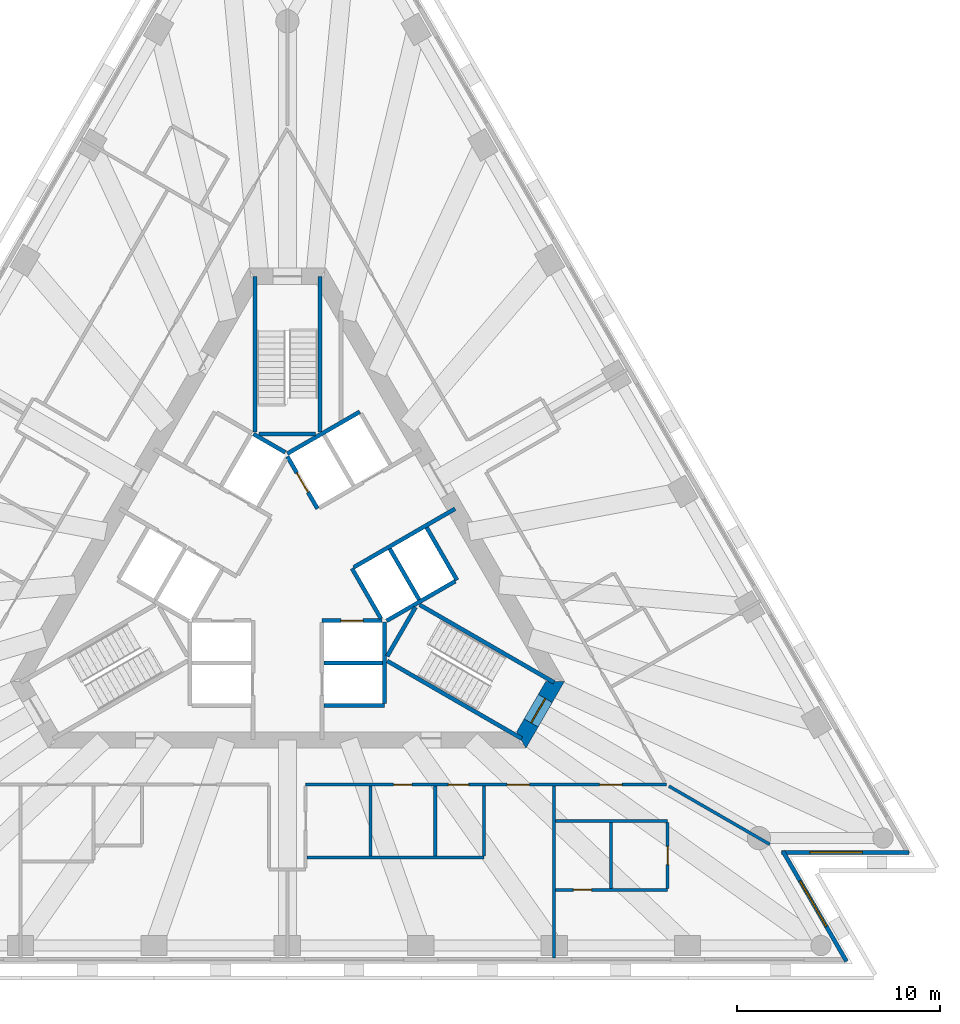
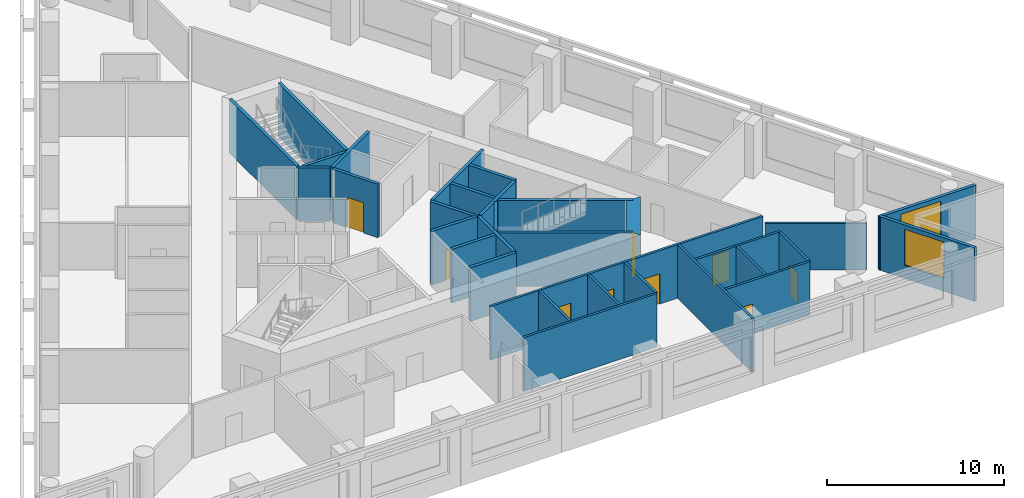
# One storey, part 5 of 10: 32 walls, 9 doors, 2 windows, 11 openings.
"""IFC4 building model written with IfcOpenShell, lengths in metres."""

from ifc_helpers import new_model, si_unit, direction, frame, frame_2d, origin, place, context, subcontext, project, spatial, polyline, rectangle, outline, extrude, material, layer, layer_set, layer_usage, type_object, element, fill, save


model = new_model("IFC4")

# Units and contexts
model_context = context("Model", 3, precision=1e-05, world=origin(), true_north=direction((0.0, 1.0)))
body_context = subcontext(model_context, "Body", "Model", "MODEL_VIEW")
ifc_project = project(units=[si_unit("LENGTHUNIT", "METRE"), si_unit("AREAUNIT", "SQUARE_METRE"), si_unit("VOLUMEUNIT", "CUBIC_METRE"), si_unit("PLANEANGLEUNIT", "RADIAN"), si_unit("MASSUNIT", "GRAM", prefix="KILO")], contexts=[model_context])

# Site, building, storey
site_placement = place(None, origin())
site = spatial("IfcSite", under=ifc_project, at=site_placement, CompositionType="ELEMENT")
building_placement = place(site_placement, origin())
building = spatial("IfcBuilding", under=site, at=building_placement, Name="Triada Interchange Tower", CompositionType="ELEMENT")
storey_placement = place(building_placement, frame((0.0, 0.0, 160.300048828125)))
storey = spatial("IfcBuildingStorey", under=building, at=storey_placement, Name="L37", CompositionType="ELEMENT", Elevation=160.300048828125)

# Walls
ifc_material_1 = material(Name="Concrete C30/37", Category="concrete")
ifc_layer_1 = layer(ifc_material_1, 0.199951171875)
ifc_layer_set_1 = layer_set([ifc_layer_1], Name="CORE WALL 200 EI 120")
wall_type_1 = type_object("IfcWallType", Name="CORE WALL 200 EI 120", PredefinedType="SOLIDWALL", material=ifc_layer_set_1)
wall_1_placement = place(storey_placement, frame((1.800048828125, -6.89990234375, 0.0), z_axis=(0.0, 0.0, 1.0), x_axis=(1.0, 0.0, 0.0)))
element("IfcWall", 1, at=wall_1_placement, inside=storey, type_object=wall_type_1, Name="Wall L35 55", PredefinedType="SOLIDWALL", context=body_context, shape_type="SweptSolid", body=[
    extrude(rectangle(XDim=3.0, YDim=0.199951171875, at=frame_2d((1.5, 0.0))), origin(), (0.0, 0.0, 1.0), 3.699951171875),
])
wall_2_placement = place(storey_placement, frame((1.800048828125, -4.800048828125, 0.0), z_axis=(0.0, 0.0, 1.0), x_axis=(1.0, 0.0, 0.0)))
element("IfcWall", 2, at=wall_2_placement, inside=storey, type_object=wall_type_1, Name="Wall L35 57", PredefinedType="SOLIDWALL", context=body_context, shape_type="SweptSolid", body=[
    extrude(rectangle(XDim=2.89990234375, YDim=0.199951171875, at=frame_2d((1.449951171875, 0.0))), origin(), (0.0, 0.0, 1.0), 3.699951171875),
])

# Wall, opening, door
wall_3_placement = place(storey_placement, frame((1.702880859375, -2.699951171875, 0.0), z_axis=(0.0, 0.0, 1.0), x_axis=(1.0, 0.0, 0.0)))
wall_3 = element("IfcWall", 3, at=wall_3_placement, inside=storey, type_object=wall_type_1, Name="Wall L35 60", PredefinedType="SOLIDWALL", context=body_context, shape_type="SweptSolid", body=[
    extrude(rectangle(XDim=2.97314453125, YDim=0.199951171875, at=frame_2d((1.486572265625, 0.0))), origin(), (0.0, 0.0, 1.0), 3.699951171875),
])
opening_1_placement = place(wall_3_placement, frame((0.93603515625, 0.0, 0.0)))
opening_1 = element("IfcOpeningElement", 4, at=opening_1_placement, cuts=wall_3, Name="Opening LD-LR1", PredefinedType="OPENING", context=body_context, shape_type="SweptSolid", body=[
    extrude(rectangle(XDim=1.10009765625, YDim=2.10009765625, at=frame_2d((0.550048828125, 1.050048828125))), frame((0.0, 0.10986328125, 0.0), z_axis=(0.0, -1.0, 0.0), x_axis=(1.0, 0.0, 0.0)), (0.0, 0.0, 1.0), 0.219970703125),
])
ifc_material_2 = material(Name="Steel S235 door leaf", Category="steel")
door_type_1 = type_object("IfcDoorType", Name="LIFT LANDING DOOR 1100 EI 120", OperationType="SLIDING_TO_LEFT", PredefinedType="DOOR", material=ifc_material_2)
door_1_placement = place(opening_1_placement, origin())
door_1 = element("IfcDoor", 5, at=door_1_placement, inside=storey, type_object=door_type_1, Name="LR1 landing door L37", OperationType="SLIDING_TO_LEFT", OverallHeight=2.10009765625, OverallWidth=1.10009765625, PredefinedType="DOOR", context=body_context, shape_type="SweptSolid", body=[
    extrude(rectangle(XDim=1.10009765625, YDim=2.10009765625, at=frame_2d((0.550048828125, 1.050048828125))), frame((0.0, 0.02490234375, 0.0), z_axis=(0.0, -1.0, 0.0), x_axis=(1.0, 0.0, 0.0)), (0.0, 0.0, 1.0), 0.050048828125),
])
fill(opening_1, door_1)

# Wall
wall_4_placement = place(storey_placement, frame((-0.001953125, 5.541015625, 0.0), z_axis=(0.0, 0.0, 1.0), x_axis=(0.86600155993, 0.500041296494, 0.0)))
element("IfcWall", 6, at=wall_4_placement, inside=storey, type_object=wall_type_1, Name="Wall L35 61", PredefinedType="SOLIDWALL", context=body_context, shape_type="SweptSolid", body=[
    extrude(rectangle(XDim=4.131591796875, YDim=0.199951171875, at=frame_2d((2.06591796875, 0.0))), origin(), (0.0, 0.0, 1.0), 3.699951171875),
])

# Wall, opening, door
wall_5_placement = place(storey_placement, frame((0.0, 5.39990234375, 0.0), z_axis=(0.0, 0.0, 1.0), x_axis=(0.500103862429, -0.865965430478, 0.0)))
wall_5 = element("IfcWall", 7, at=wall_5_placement, inside=storey, type_object=wall_type_1, Name="Wall L35 62", PredefinedType="SOLIDWALL", context=body_context, shape_type="SweptSolid", body=[
    extrude(rectangle(XDim=2.973388671875, YDim=0.199951171875, at=frame_2d((1.48681640625, 0.0))), origin(), (0.0, 0.0, 1.0), 3.699951171875),
])
opening_2_placement = place(wall_5_placement, frame((0.93701171875, 0.0, 0.0)))
opening_2 = element("IfcOpeningElement", 8, at=opening_2_placement, cuts=wall_5, Name="Opening LD-LR5", PredefinedType="OPENING", context=body_context, shape_type="SweptSolid", body=[
    extrude(rectangle(XDim=1.10009765625, YDim=2.10009765625, at=frame_2d((0.550048828125, 1.050048828125))), frame((0.0, 0.10986328125, 0.0), z_axis=(0.0, -1.0, 0.0), x_axis=(1.0, 0.0, 0.0)), (0.0, 0.0, 1.0), 0.219970703125),
])
door_2_placement = place(opening_2_placement, origin())
door_2 = element("IfcDoor", 9, at=door_2_placement, inside=storey, type_object=door_type_1, Name="LR5 landing door L37", OperationType="SLIDING_TO_LEFT", OverallHeight=2.10009765625, OverallWidth=1.10009765625, PredefinedType="DOOR", context=body_context, shape_type="SweptSolid", body=[
    extrude(rectangle(XDim=1.10009765625, YDim=2.10009765625, at=frame_2d((0.550048828125, 1.050048828125))), frame((0.0, 0.02490234375, 0.0), z_axis=(0.0, -1.0, 0.0), x_axis=(1.0, 0.0, 0.0)), (0.0, 0.0, 1.0), 0.050048828125),
])
fill(opening_2, door_2)

# Walls
wall_6_placement = place(storey_placement, frame((3.18994140625, -0.125, 0.0), z_axis=(0.0, 0.0, 1.0), x_axis=(0.499988658015, -0.866031951983, 0.0)))
element("IfcWall", 10, at=wall_6_placement, inside=storey, type_object=wall_type_1, Name="Wall L35 63", PredefinedType="SOLIDWALL", context=body_context, shape_type="SweptSolid", body=[
    extrude(rectangle(XDim=2.85791015625, YDim=0.199951171875, at=frame_2d((1.428955078125, 0.0))), origin(), (0.0, 0.0, 1.0), 3.699951171875),
])
wall_7_placement = place(storey_placement, frame((4.800048828125, -6.800048828125, 0.0), z_axis=(0.0, 0.0, 1.0), x_axis=(0.0, 1.0, 0.0)))
element("IfcWall", 11, at=wall_7_placement, inside=storey, type_object=wall_type_1, Name="Wall L35 66", PredefinedType="SOLIDWALL", context=body_context, shape_type="SweptSolid", body=[
    extrude(rectangle(XDim=4.029052734375, YDim=0.199951171875, at=frame_2d((2.0146484375, 0.0))), origin(), (0.0, 0.0, 1.0), 3.699951171875),
])
wall_8_placement = place(storey_placement, frame((5.056884765625, 0.841064453125, 0.0), z_axis=(0.0, 0.0, 1.0), x_axis=(0.50012328804, -0.865954211699, 0.0)))
element("IfcWall", 12, at=wall_8_placement, inside=storey, type_object=wall_type_1, Name="Wall L35 68", PredefinedType="SOLIDWALL", context=body_context, shape_type="SweptSolid", body=[
    extrude(rectangle(XDim=2.899658203125, YDim=0.199951171875, at=frame_2d((1.44970703125, 0.0))), origin(), (0.0, 0.0, 1.0), 3.699951171875),
])
wall_9_placement = place(storey_placement, frame((6.8759765625, 1.89111328125, 0.0), z_axis=(0.0, 0.0, 1.0), x_axis=(0.499990139034, -0.866031096941, 0.0)))
element("IfcWall", 13, at=wall_9_placement, inside=storey, type_object=wall_type_1, Name="Wall L35 70", PredefinedType="SOLIDWALL", context=body_context, shape_type="SweptSolid", body=[
    extrude(rectangle(XDim=3.0, YDim=0.199951171875, at=frame_2d((1.5, 0.0))), origin(), (0.0, 0.0, 1.0), 3.699951171875),
])
wall_10_placement = place(storey_placement, frame((3.278076171875, -0.071044921875, 0.0), z_axis=(0.0, 0.0, 1.0), x_axis=(0.865929348003, 0.5001663366, 0.0)))
element("IfcWall", 14, at=wall_10_placement, inside=storey, type_object=wall_type_1, Name="Wall L35 71", PredefinedType="SOLIDWALL", context=body_context, shape_type="SweptSolid", body=[
    extrude(rectangle(XDim=5.7763671875, YDim=0.199951171875, at=frame_2d((2.88818359375, 0.0))), origin(), (0.0, 0.0, 1.0), 3.699951171875),
])
wall_11_placement = place(storey_placement, frame((4.89990234375, -2.714111328125, 0.0), z_axis=(0.0, 0.0, 1.0), x_axis=(0.865992350556, 0.500057245502, 0.0)))
element("IfcWall", 15, at=wall_11_placement, inside=storey, type_object=wall_type_1, Name="Wall L35 72", PredefinedType="SOLIDWALL", context=body_context, shape_type="SweptSolid", body=[
    extrude(rectangle(XDim=3.91357421875, YDim=0.199951171875, at=frame_2d((1.956787109375, 0.0))), origin(), (0.0, 0.0, 1.0), 3.699951171875),
])
ifc_layer_2 = layer(ifc_material_1, 0.199951171875)
ifc_layer_set_2 = layer_set([ifc_layer_2], Name="CORE WALL 200 EI 180")
wall_type_2 = type_object("IfcWallType", Name="CORE WALL 200 EI 180", PredefinedType="SOLIDWALL", material=ifc_layer_set_2)
wall_12_placement = place(storey_placement, frame((-1.669921875, 6.507080078125, 0.0), z_axis=(0.0, 0.0, 1.0), x_axis=(0.865941441609, -0.500145398563, 0.0)))
element("IfcWall", 16, at=wall_12_placement, inside=storey, type_object=wall_type_2, Name="Shaft wall FF2 L35 86", PredefinedType="SOLIDWALL", context=body_context, shape_type="SweptSolid", body=[
    extrude(rectangle(XDim=1.8154296875, YDim=0.199951171875, at=frame_2d((0.90771484375, 0.0))), origin(), (0.0, 0.0, 1.0), 3.699951171875),
])
ifc_layer_3 = layer(ifc_material_1, 0.199951171875)
ifc_layer_set_3 = layer_set([ifc_layer_3], Name="CORE WALL 200 REI 240")
wall_type_3 = type_object("IfcWallType", Name="CORE WALL 200 REI 240", PredefinedType="SOLIDWALL", material=ifc_layer_set_3)
wall_13_placement = place(storey_placement, frame((1.60009765625, 6.614990234375, 0.0), z_axis=(0.0, 0.0, 1.0), x_axis=(0.0, 1.0, 0.0)))
element("IfcWall", 17, at=wall_13_placement, inside=storey, type_object=wall_type_3, Name="Wall L35 92", PredefinedType="SOLIDWALL", context=body_context, shape_type="SweptSolid", body=[
    extrude(rectangle(XDim=7.6650390625, YDim=0.199951171875, at=frame_2d((3.83251953125, 0.0))), origin(), (0.0, 0.0, 1.0), 3.699951171875),
])
wall_14_placement = place(storey_placement, frame((-1.39990234375, 6.5, 0.0), z_axis=(0.0, 0.0, 1.0), x_axis=(1.0, 0.0, 0.0)))
element("IfcWall", 18, at=wall_14_placement, inside=storey, type_object=wall_type_3, Name="Wall L35 93", PredefinedType="SOLIDWALL", context=body_context, shape_type="SweptSolid", body=[
    extrude(rectangle(XDim=2.7998046875, YDim=0.199951171875, at=frame_2d((1.39990234375, 0.0))), origin(), (0.0, 0.0, 1.0), 3.699951171875),
])
for number, where, z_axis, x_axis, name in (
    (19, (-1.60009765625, 6.614990234375, 0.0), (0.0, 0.0, 1.0), (0.0, 1.0, 0.0), "Wall L35 94"),
    (20, (4.928955078125, -4.693115234375, 0.0), (0.0, 0.0, 1.0), (0.866005769735, -0.50003400563, 0.0), "Wall L35 95"),
):
    element("IfcWall", number, at=place(storey_placement, frame(where, z_axis=z_axis, x_axis=x_axis)), inside=storey, type_object=wall_type_3, Name=name, PredefinedType="SOLIDWALL", context=body_context, shape_type="SweptSolid", body=[
        extrude(rectangle(XDim=7.6650390625, YDim=0.199951171875, at=frame_2d((3.83251953125, 0.0))), origin(), (0.0, 0.0, 1.0), 3.699951171875),
    ])
wall_15_placement = place(storey_placement, frame((4.928955078125, -4.4619140625, 0.0), z_axis=(0.0, 0.0, 1.0), x_axis=(0.500200581029, 0.865909567298, 0.0)))
element("IfcWall", 21, at=wall_15_placement, inside=storey, type_object=wall_type_3, Name="Wall L35 96", PredefinedType="SOLIDWALL", context=body_context, shape_type="SweptSolid", body=[
    extrude(rectangle(XDim=2.799072265625, YDim=0.199951171875, at=frame_2d((1.3994140625, 0.0))), origin(), (0.0, 0.0, 1.0), 3.699951171875),
])
wall_16_placement = place(storey_placement, frame((6.529052734375, -1.922119140625, 0.0), z_axis=(0.0, 0.0, 1.0), x_axis=(0.866060938598, -0.499938446846, 0.0)))
element("IfcWall", 22, at=wall_16_placement, inside=storey, type_object=wall_type_3, Name="Wall L35 97", PredefinedType="SOLIDWALL", context=body_context, shape_type="SweptSolid", body=[
    extrude(rectangle(XDim=7.66455078125, YDim=0.199951171875, at=frame_2d((3.832275390625, 0.0))), origin(), (0.0, 0.0, 1.0), 3.699951171875),
])

# Wall, opening, door
ifc_material_3 = material(Name="Concrete C60/75", Category="concrete")
ifc_layer_4 = layer(ifc_material_3, 0.800048828125)
ifc_layer_set_4 = layer_set([ifc_layer_4], Name="Core wall B 800")
wall_type_4 = type_object("IfcWallType", Name="Core wall B 800", PredefinedType="SHEAR", material=ifc_layer_set_4)
wall_17_placement = place(storey_placement, frame((11.547119140625, -8.60009765625, -0.300048828125), z_axis=(0.0, 0.0, 1.0), x_axis=(0.49987182685, 0.866099391942, 0.0)))
wall_17 = element("IfcWall", 23, at=wall_17_placement, inside=storey, type_object=wall_type_4, Name="Core wall WB05 L37", PredefinedType="SHEAR", context=body_context, shape_type="SweptSolid", body=[
    extrude(outline(polyline([(-0.23095703125, -0.39990234375), (1.674072265625, -0.39990234375), (3.5791015625, -0.39990234375), (3.117919921875, 0.39990234375), (1.67431640625, 0.39990234375), (0.23095703125, 0.39990234375), (-0.23095703125, -0.39990234375)])), origin(), (0.0, 0.0, 1.0), 4.0),
])
opening_3_placement = place(wall_17_placement, frame((0.97412109375, 0.0, 0.300048828125)))
opening_3 = element("IfcOpeningElement", 24, at=opening_3_placement, cuts=wall_17, Name="Opening D35-39", PredefinedType="OPENING", context=body_context, shape_type="SweptSolid", body=[
    extrude(rectangle(XDim=1.39990234375, YDim=2.10009765625, at=frame_2d((0.699951171875, 1.050048828125))), frame((0.0, 0.409912109375, 0.0), z_axis=(0.0, -1.0, 0.0), x_axis=(1.0, 0.0, 0.0)), (0.0, 0.0, 1.0), 0.820068359375),
])
door_type_2 = type_object("IfcDoorType", Name="STAIR DOOR 1400 EI2 90-C5S200", OperationType="DOUBLE_DOOR_SINGLE_SWING", PredefinedType="DOOR", material=ifc_material_2)
door_3_placement = place(opening_3_placement, origin())
door_3 = element("IfcDoor", 25, at=door_3_placement, inside=storey, type_object=door_type_2, Name="Door D35-39 L37", OperationType="DOUBLE_DOOR_SINGLE_SWING", OverallHeight=2.10009765625, OverallWidth=1.39990234375, PredefinedType="DOOR", context=body_context, shape_type="SweptSolid", body=[
    extrude(rectangle(XDim=1.39990234375, YDim=2.10009765625, at=frame_2d((0.699951171875, 1.050048828125))), frame((0.0, 0.02490234375, 0.0), z_axis=(0.0, -1.0, 0.0), x_axis=(1.0, 0.0, 0.0)), (0.0, 0.0, 1.0), 0.050048828125),
])
fill(opening_3, door_3)

# Wall, opening, window
ifc_material_4 = material(Name="Cement board")
ifc_layer_5 = layer(ifc_material_4, 0.02001953125, Name="Cement board cladding")
ifc_material_5 = material(Name="Sheathing board")
ifc_layer_6 = layer(ifc_material_5, 0.014892578125, Name="Sheathing board")
ifc_material_6 = material(Name="Mineral wool")
ifc_layer_7 = layer(ifc_material_6, 0.14990234375, Name="Mineral wool between steel studs")
ifc_material_7 = material(Name="Gypsum board")
ifc_layer_8 = layer(ifc_material_7, 0.014892578125, Name="Plasterboard lining")
ifc_layer_set_5 = layer_set([ifc_layer_5, ifc_layer_6, ifc_layer_7, ifc_layer_8], Name="External wall 200")
ifc_layer_usage = layer_usage(ifc_layer_set_5, "AXIS2", "POSITIVE", -0.10009765625)
wall_type_5 = type_object("IfcWallType", Name="External wall 200", PredefinedType="ELEMENTEDWALL", material=ifc_layer_set_5)
wall_18_placement = place(storey_placement, frame((27.60205078125, -19.52392578125, 0.0), z_axis=(0.0, 0.0, 1.0), x_axis=(-0.500074377092, 0.865982457891, 0.0)))
wall_18 = element("IfcWall", 26, at=wall_18_placement, inside=storey, type_object=wall_type_5, material=ifc_layer_usage, Name="External wall L37 SE-1", PredefinedType="ELEMENTEDWALL", context=body_context, shape_type="SweptSolid", body=[
    extrude(rectangle(XDim=6.28515625, YDim=0.199951171875, at=frame_2d((3.142578125, 0.0))), origin(), (0.0, 0.0, 1.0), 3.699951171875),
])
opening_4_placement = place(wall_18_placement, frame((1.989990234375, 0.0, 0.89990234375)))
opening_4 = element("IfcOpeningElement", 27, at=opening_4_placement, cuts=wall_18, Name="Opening WB19", PredefinedType="OPENING", context=body_context, shape_type="SweptSolid", body=[
    extrude(rectangle(XDim=2.60009765625, YDim=2.5, at=frame_2d((1.300048828125, 1.25))), frame((0.0, 0.10986328125, 0.0), z_axis=(0.0, -1.0, 0.0), x_axis=(1.0, 0.0, 0.0)), (0.0, 0.0, 1.0), 0.219970703125),
])
ifc_material_8 = material(Name="Double glazed aluminium window", Category="aluminium")
window_type = type_object("IfcWindowType", Name="Ribbon window B pocket", PartitioningType="SINGLE_PANEL", PredefinedType="WINDOW", material=ifc_material_8)
window_1_placement = place(opening_4_placement, origin())
window_1 = element("IfcWindow", 28, at=window_1_placement, inside=storey, type_object=window_type, Name="Window L37 SE-1 1", OverallHeight=2.5, OverallWidth=2.60009765625, PartitioningType="SINGLE_PANEL", PredefinedType="WINDOW", context=body_context, shape_type="SweptSolid", body=[
    extrude(rectangle(XDim=2.60009765625, YDim=2.5, at=frame_2d((1.300048828125, 1.25))), frame((0.0, 0.030029296875, 0.0), z_axis=(0.0, -1.0, 0.0), x_axis=(1.0, 0.0, 0.0)), (0.0, 0.0, 1.0), 0.06005859375),
])
fill(opening_4, window_1)

wall_19_placement = place(storey_placement, frame((24.404052734375, -14.14208984375, 0.0), z_axis=(0.0, 0.0, 1.0), x_axis=(1.0, 0.0, 0.0)))
wall_19 = element("IfcWall", 29, at=wall_19_placement, inside=storey, type_object=wall_type_5, material=ifc_layer_usage, Name="External wall L37 SE-2", PredefinedType="ELEMENTEDWALL", context=body_context, shape_type="SweptSolid", body=[
    extrude(rectangle(XDim=6.284912109375, YDim=0.199951171875, at=frame_2d((3.142578125, 0.0))), origin(), (0.0, 0.0, 1.0), 3.699951171875),
])
opening_5_placement = place(wall_19_placement, frame((1.389892578125, 0.0, 0.89990234375)))
opening_5 = element("IfcOpeningElement", 30, at=opening_5_placement, cuts=wall_19, Name="Opening WB20", PredefinedType="OPENING", context=body_context, shape_type="SweptSolid", body=[
    extrude(rectangle(XDim=2.60009765625, YDim=2.5, at=frame_2d((1.300048828125, 1.25))), frame((0.0, 0.10986328125, 0.0), z_axis=(0.0, -1.0, 0.0), x_axis=(1.0, 0.0, 0.0)), (0.0, 0.0, 1.0), 0.219970703125),
])
window_2_placement = place(opening_5_placement, origin())
window_2 = element("IfcWindow", 31, at=window_2_placement, inside=storey, type_object=window_type, Name="Window L37 SE-2 1", OverallHeight=2.5, OverallWidth=2.60009765625, PartitioningType="SINGLE_PANEL", PredefinedType="WINDOW", context=body_context, shape_type="SweptSolid", body=[
    extrude(rectangle(XDim=2.60009765625, YDim=2.5, at=frame_2d((1.300048828125, 1.25))), frame((0.0, 0.030029296875, 0.0), z_axis=(0.0, -1.0, 0.0), x_axis=(1.0, 0.0, 0.0)), (0.0, 0.0, 1.0), 0.06005859375),
])
fill(opening_5, window_2)

# Wall, openings, doors
ifc_material_9 = material(Name="Gypsum board partition")
ifc_layer_9 = layer(ifc_material_9, 0.14990234375)
ifc_layer_set_6 = layer_set([ifc_layer_9], Name="PARTITION 150 EI 180")
wall_type_6 = type_object("IfcWallType", Name="PARTITION 150 EI 180", PredefinedType="PARTITIONING", material=ifc_layer_set_6)
wall_20_placement = place(storey_placement, frame((0.90087890625, -10.800048828125, 0.0), z_axis=(0.0, 0.0, 1.0), x_axis=(1.0, 0.0, 0.0)))
wall_20 = element("IfcWall", 32, at=wall_20_placement, inside=storey, type_object=wall_type_6, Name="Wall L35 5", PredefinedType="PARTITIONING", context=body_context, shape_type="SweptSolid", body=[
    extrude(rectangle(XDim=17.80517578125, YDim=0.14990234375, at=frame_2d((8.902587890625, 0.0))), origin(), (0.0, 0.0, 1.0), 3.699951171875),
])
opening_6_placement = place(wall_20_placement, frame((9.948974609375, 0.0, 0.0)))
opening_6 = element("IfcOpeningElement", 33, at=opening_6_placement, cuts=wall_20, Name="Opening D35-15", PredefinedType="OPENING", context=body_context, shape_type="SweptSolid", body=[
    extrude(rectangle(XDim=1.10009765625, YDim=2.10009765625, at=frame_2d((0.550048828125, 1.050048828125))), frame((0.0, 0.0849609375, 0.0), z_axis=(0.0, -1.0, 0.0), x_axis=(1.0, 0.0, 0.0)), (0.0, 0.0, 1.0), 0.169921875),
])
opening_7_placement = place(wall_20_placement, frame((4.34912109375, 0.0, 0.0)))
opening_7 = element("IfcOpeningElement", 34, at=opening_7_placement, cuts=wall_20, Name="Opening D35-17", PredefinedType="OPENING", context=body_context, shape_type="SweptSolid", body=[
    extrude(rectangle(XDim=0.89990234375, YDim=2.10009765625, at=frame_2d((0.449951171875, 1.050048828125))), frame((0.0, 0.0849609375, 0.0), z_axis=(0.0, -1.0, 0.0), x_axis=(1.0, 0.0, 0.0)), (0.0, 0.0, 1.0), 0.169921875),
])
opening_8_placement = place(wall_20_placement, frame((7.049072265625, 0.0, 0.0)))
opening_8 = element("IfcOpeningElement", 35, at=opening_8_placement, cuts=wall_20, Name="Opening D35-18", PredefinedType="OPENING", context=body_context, shape_type="SweptSolid", body=[
    extrude(rectangle(XDim=1.0, YDim=2.10009765625, at=frame_2d((0.5, 1.050048828125))), frame((0.0, 0.0849609375, 0.0), z_axis=(0.0, -1.0, 0.0), x_axis=(1.0, 0.0, 0.0)), (0.0, 0.0, 1.0), 0.169921875),
])
opening_9_placement = place(wall_20_placement, frame((14.52099609375, 0.0, 0.0)))
opening_9 = element("IfcOpeningElement", 36, at=opening_9_placement, cuts=wall_20, Name="Opening D35-19", PredefinedType="OPENING", context=body_context, shape_type="SweptSolid", body=[
    extrude(rectangle(XDim=1.10009765625, YDim=2.10009765625, at=frame_2d((0.550048828125, 1.050048828125))), frame((0.0, 0.0849609375, 0.0), z_axis=(0.0, -1.0, 0.0), x_axis=(1.0, 0.0, 0.0)), (0.0, 0.0, 1.0), 0.169921875),
])
door_type_3 = type_object("IfcDoorType", Name="ROOM DOOR 1000 EI2 90-C5S200", OperationType="NOTDEFINED", PredefinedType="DOOR", material=ifc_material_2)
door_4_placement = place(opening_8_placement, origin())
door_4 = element("IfcDoor", 37, at=door_4_placement, inside=storey, type_object=door_type_3, Name="Door D35-18 L37", OperationType="SINGLE_SWING_LEFT", OverallHeight=2.10009765625, OverallWidth=1.0, PredefinedType="DOOR", context=body_context, shape_type="SweptSolid", body=[
    extrude(rectangle(XDim=1.0, YDim=2.10009765625, at=frame_2d((0.5, 1.050048828125))), frame((0.0, 0.02490234375, 0.0), z_axis=(0.0, -1.0, 0.0), x_axis=(1.0, 0.0, 0.0)), (0.0, 0.0, 1.0), 0.050048828125),
])
fill(opening_8, door_4)
door_type_4 = type_object("IfcDoorType", Name="ROOM DOOR 900 EI2 90-C5S200", OperationType="NOTDEFINED", PredefinedType="DOOR", material=ifc_material_2)
door_5_placement = place(opening_7_placement, origin())
door_5 = element("IfcDoor", 38, at=door_5_placement, inside=storey, type_object=door_type_4, Name="Door D35-17 L37", OperationType="SINGLE_SWING_RIGHT", OverallHeight=2.10009765625, OverallWidth=0.89990234375, PredefinedType="DOOR", context=body_context, shape_type="SweptSolid", body=[
    extrude(rectangle(XDim=0.89990234375, YDim=2.10009765625, at=frame_2d((0.449951171875, 1.050048828125))), frame((0.0, 0.02490234375, 0.0), z_axis=(0.0, -1.0, 0.0), x_axis=(1.0, 0.0, 0.0)), (0.0, 0.0, 1.0), 0.050048828125),
])
fill(opening_7, door_5)
door_type_5 = type_object("IfcDoorType", Name="TENANCY ENTRANCE DOOR 1100 EI2 90-C5S200", OperationType="NOTDEFINED", PredefinedType="DOOR", material=ifc_material_2)
door_6_placement = place(opening_6_placement, origin())
door_6 = element("IfcDoor", 39, at=door_6_placement, inside=storey, type_object=door_type_5, Name="Door D35-15 L37", OperationType="SINGLE_SWING_LEFT", OverallHeight=2.10009765625, OverallWidth=1.10009765625, PredefinedType="DOOR", context=body_context, shape_type="SweptSolid", body=[
    extrude(rectangle(XDim=1.10009765625, YDim=2.10009765625, at=frame_2d((0.550048828125, 1.050048828125))), frame((0.0, 0.02490234375, 0.0), z_axis=(0.0, -1.0, 0.0), x_axis=(1.0, 0.0, 0.0)), (0.0, 0.0, 1.0), 0.050048828125),
])
fill(opening_6, door_6)
door_7_placement = place(opening_9_placement, origin())
door_7 = element("IfcDoor", 40, at=door_7_placement, inside=storey, type_object=door_type_5, Name="Door D35-19 L37", OperationType="SINGLE_SWING_LEFT", OverallHeight=2.10009765625, OverallWidth=1.10009765625, PredefinedType="DOOR", context=body_context, shape_type="SweptSolid", body=[
    extrude(rectangle(XDim=1.10009765625, YDim=2.10009765625, at=frame_2d((0.550048828125, 1.050048828125))), frame((0.0, 0.02490234375, 0.0), z_axis=(0.0, -1.0, 0.0), x_axis=(1.0, 0.0, 0.0)), (0.0, 0.0, 1.0), 0.050048828125),
])
fill(opening_9, door_7)

# Walls
wall_21_placement = place(storey_placement, frame((18.8359375, -10.875, 0.0), z_axis=(0.0, 0.0, 1.0), x_axis=(0.86606191518, -0.499936755075, 0.0)))
element("IfcWall", 41, at=wall_21_placement, inside=storey, type_object=wall_type_6, Name="Wall L35 9", PredefinedType="PARTITIONING", context=body_context, shape_type="SweptSolid", body=[
    extrude(rectangle(XDim=5.752685546875, YDim=0.14990234375, at=frame_2d((2.87646484375, 0.0))), origin(), (0.0, 0.0, 1.0), 3.199951171875),
])
wall_22_placement = place(storey_placement, frame((0.97509765625, -14.39990234375, 0.0), z_axis=(0.0, 0.0, 1.0), x_axis=(1.0, 0.0, 0.0)))
element("IfcWall", 42, at=wall_22_placement, inside=storey, type_object=wall_type_6, Name="Wall L35 32", PredefinedType="PARTITIONING", context=body_context, shape_type="SweptSolid", body=[
    extrude(rectangle(XDim=8.724853515625, YDim=0.14990234375, at=frame_2d((4.3623046875, 0.0))), origin(), (0.0, 0.0, 1.0), 3.699951171875),
])
for number, where, z_axis, x_axis, name in (
    (43, (4.10009765625, -14.324951171875, 0.0), (0.0, 0.0, 1.0), (0.0, 1.0, 0.0), "Wall L35 33"),
    (44, (9.699951171875, -14.324951171875, 0.0), (0.0, 0.0, 1.0), (0.0, 1.0, 0.0), "Wall L35 34"),
    (45, (7.300048828125, -14.324951171875, 0.0), (0.0, 0.0, 1.0), (0.0, 1.0, 0.0), "Wall L35 35"),
):
    element("IfcWall", number, at=place(storey_placement, frame(where, z_axis=z_axis, x_axis=x_axis)), inside=storey, type_object=wall_type_6, Name=name, PredefinedType="PARTITIONING", context=body_context, shape_type="SweptSolid", body=[
        extrude(rectangle(XDim=3.449951171875, YDim=0.14990234375, at=frame_2d((1.72509765625, 0.0))), origin(), (0.0, 0.0, 1.0), 3.699951171875),
    ])
wall_23_placement = place(storey_placement, frame((13.172119140625, -19.365966796875, 0.0), z_axis=(0.0, 0.0, 1.0), x_axis=(0.0, 1.0, 0.0)))
element("IfcWall", 46, at=wall_23_placement, inside=storey, type_object=wall_type_6, Name="Wall L35 37", PredefinedType="PARTITIONING", context=body_context, shape_type="SweptSolid", body=[
    extrude(rectangle(XDim=8.490966796875, YDim=0.14990234375, at=frame_2d((4.24560546875, 0.0))), origin(), (0.0, 0.0, 1.0), 3.699951171875),
])

# Wall, opening, door
ifc_layer_10 = layer(ifc_material_9, 0.14990234375)
ifc_layer_set_7 = layer_set([ifc_layer_10], Name="PARTITION 150 EI 90")
wall_type_7 = type_object("IfcWallType", Name="PARTITION 150 EI 90", PredefinedType="PARTITIONING", material=ifc_layer_set_7)
wall_24_placement = place(storey_placement, frame((13.2470703125, -16.0, 0.0), z_axis=(0.0, 0.0, 1.0), x_axis=(1.0, 0.0, 0.0)))
wall_24 = element("IfcWall", 47, at=wall_24_placement, inside=storey, type_object=wall_type_7, Name="Wall L35 47", PredefinedType="PARTITIONING", context=body_context, shape_type="SweptSolid", body=[
    extrude(rectangle(XDim=5.52490234375, YDim=0.14990234375, at=frame_2d((2.762451171875, 0.0))), origin(), (0.0, 0.0, 1.0), 3.699951171875),
])
opening_10_placement = place(wall_24_placement, frame((0.875, 0.0, 0.0)))
opening_10 = element("IfcOpeningElement", 48, at=opening_10_placement, cuts=wall_24, Name="Opening D35-20", PredefinedType="OPENING", context=body_context, shape_type="SweptSolid", body=[
    extrude(rectangle(XDim=0.89990234375, YDim=2.10009765625, at=frame_2d((0.449951171875, 1.050048828125))), frame((0.0, 0.0849609375, 0.0), z_axis=(0.0, -1.0, 0.0), x_axis=(1.0, 0.0, 0.0)), (0.0, 0.0, 1.0), 0.169921875),
])
door_type_6 = type_object("IfcDoorType", Name="ROOM DOOR 900 EI2 45-C5S200", OperationType="NOTDEFINED", PredefinedType="DOOR", material=ifc_material_2)
door_8_placement = place(opening_10_placement, origin())
door_8 = element("IfcDoor", 49, at=door_8_placement, inside=storey, type_object=door_type_6, Name="Door D35-20 L37", OperationType="SINGLE_SWING_LEFT", OverallHeight=2.10009765625, OverallWidth=0.89990234375, PredefinedType="DOOR", context=body_context, shape_type="SweptSolid", body=[
    extrude(rectangle(XDim=0.89990234375, YDim=2.10009765625, at=frame_2d((0.449951171875, 1.050048828125))), frame((0.0, 0.02490234375, 0.0), z_axis=(0.0, -1.0, 0.0), x_axis=(1.0, 0.0, 0.0)), (0.0, 0.0, 1.0), 0.050048828125),
])
fill(opening_10, door_8)

# Wall
wall_25_placement = place(storey_placement, frame((13.2470703125, -12.60009765625, 0.0), z_axis=(0.0, 0.0, 1.0), x_axis=(1.0, 0.0, 0.0)))
element("IfcWall", 50, at=wall_25_placement, inside=storey, type_object=wall_type_7, Name="Wall L35 48", PredefinedType="PARTITIONING", context=body_context, shape_type="SweptSolid", body=[
    extrude(rectangle(XDim=5.52490234375, YDim=0.14990234375, at=frame_2d((2.762451171875, 0.0))), origin(), (0.0, 0.0, 1.0), 3.699951171875),
])

# Wall, opening, door
wall_26_placement = place(storey_placement, frame((18.77197265625, -15.925048828125, 0.0), z_axis=(0.0, 0.0, 1.0), x_axis=(0.0, 1.0, 0.0)))
wall_26 = element("IfcWall", 51, at=wall_26_placement, inside=storey, type_object=wall_type_7, Name="Wall L35 49", PredefinedType="PARTITIONING", context=body_context, shape_type="SweptSolid", body=[
    extrude(rectangle(XDim=3.25, YDim=0.14990234375, at=frame_2d((1.625, 0.0))), origin(), (0.0, 0.0, 1.0), 3.699951171875),
])
opening_11_placement = place(wall_26_placement, frame((1.175048828125, 0.0, 0.0)))
opening_11 = element("IfcOpeningElement", 52, at=opening_11_placement, cuts=wall_26, Name="Opening D35-21", PredefinedType="OPENING", context=body_context, shape_type="SweptSolid", body=[
    extrude(rectangle(XDim=0.89990234375, YDim=2.10009765625, at=frame_2d((0.449951171875, 1.050048828125))), frame((0.0, 0.0849609375, 0.0), z_axis=(0.0, -1.0, 0.0), x_axis=(1.0, 0.0, 0.0)), (0.0, 0.0, 1.0), 0.169921875),
])
door_9_placement = place(opening_11_placement, origin())
door_9 = element("IfcDoor", 53, at=door_9_placement, inside=storey, type_object=door_type_6, Name="Door D35-21 L37", OperationType="SINGLE_SWING_RIGHT", OverallHeight=2.10009765625, OverallWidth=0.89990234375, PredefinedType="DOOR", context=body_context, shape_type="SweptSolid", body=[
    extrude(rectangle(XDim=0.89990234375, YDim=2.10009765625, at=frame_2d((0.449951171875, 1.050048828125))), frame((0.0, 0.02490234375, 0.0), z_axis=(0.0, -1.0, 0.0), x_axis=(1.0, 0.0, 0.0)), (0.0, 0.0, 1.0), 0.050048828125),
])
fill(opening_11, door_9)

# Wall
wall_27_placement = place(storey_placement, frame((15.971923828125, -15.925048828125, 0.0), z_axis=(0.0, 0.0, 1.0), x_axis=(0.0, 1.0, 0.0)))
element("IfcWall", 54, at=wall_27_placement, inside=storey, type_object=wall_type_7, Name="Wall L35 50", PredefinedType="PARTITIONING", context=body_context, shape_type="SweptSolid", body=[
    extrude(rectangle(XDim=3.25, YDim=0.14990234375, at=frame_2d((1.625, 0.0))), origin(), (0.0, 0.0, 1.0), 3.699951171875),
])

save(model, "model.ifc")
